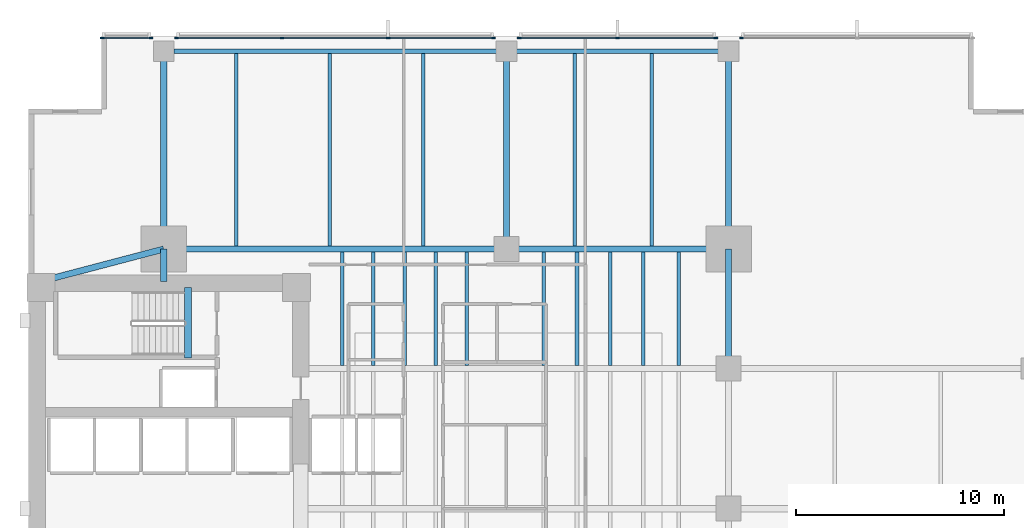
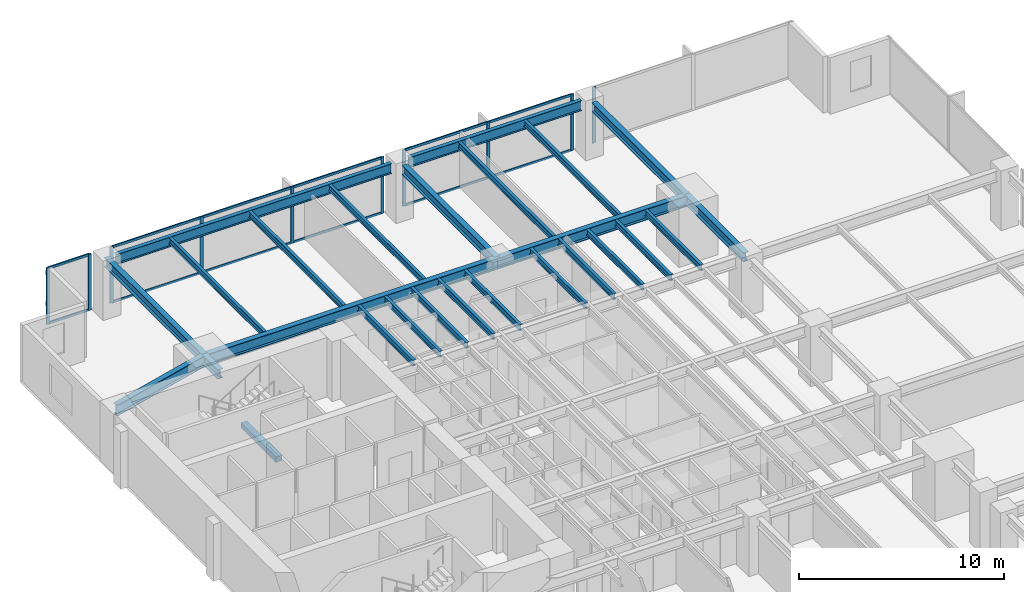
# One storey, part 5 of 15: 26 beams, 22 members, 4 elements without a shape of their own.
"""IFC4 building model written with IfcOpenShell, lengths in metres."""

from ifc_helpers import new_model, si_unit, direction, frame, origin, origin_2d, place, context, subcontext, project, spatial, rectangle, i_section, extrude, material, layer, layer_set, material_profile, profile_set, type_object, element, aggregate, save


model = new_model("IFC4")

# Units and contexts
model_context = context("Model", 3, precision=1e-05, world=origin(), true_north=direction((0.0, 1.0)))
body_context = subcontext(model_context, "Body", "Model", "MODEL_VIEW")
ifc_project = project(units=[si_unit("LENGTHUNIT", "METRE"), si_unit("AREAUNIT", "SQUARE_METRE"), si_unit("VOLUMEUNIT", "CUBIC_METRE"), si_unit("PLANEANGLEUNIT", "RADIAN"), si_unit("MASSUNIT", "GRAM", prefix="KILO")], contexts=[model_context])

# Site, building, storey
site_placement = place(None, origin())
site = spatial("IfcSite", under=ifc_project, at=site_placement, CompositionType="ELEMENT")
building_placement = place(site_placement, origin())
building = spatial("IfcBuilding", under=site, at=building_placement, Name="Kinhvarn Gate Tower", CompositionType="ELEMENT")
storey_placement = place(building_placement, frame((0.0, 0.0, 89.5)))
storey = spatial("IfcBuildingStorey", under=building, at=storey_placement, Name="L23", CompositionType="ELEMENT", Elevation=89.5)

# Beam
ifc_material_1 = material(Name="Concrete C50/60", Category="concrete")
ifc_material_profile_1 = material_profile(ifc_material_1, rectangle(XDim=0.340087890625, YDim=0.320068359375, at=origin_2d()), Name="RC 340x320")
ifc_profile_set_1 = profile_set([ifc_material_profile_1], Name="Concrete C50/60")
beam_type_1 = type_object("IfcBeamType", Name="BM-LND-500", PredefinedType="BEAM", material=ifc_profile_set_1)
beam_1_placement = place(storey_placement, frame((12.1650390625, 32.5, -0.159912109375), z_axis=(0.0, 1.0, 0.0), x_axis=(-1.0, 0.0, 0.0)))
element("IfcBeam", 1, at=beam_1_placement, inside=storey, type_object=beam_type_1, Name="Stair ST2 Landing Nosing Beam (L23)", PredefinedType="BEAM", context=body_context, shape_type="SweptSolid", body=[
    extrude(rectangle(XDim=0.340087890625, YDim=0.320068359375, at=origin_2d()), origin(), (0.0, 0.0, 1.0), 3.39990234375),
])

# Curtain wall, member
ifc_material_2 = material(Name="Anodised aluminium AW-6063", Category="aluminium")
ifc_layer = layer(ifc_material_2, 0.179931640625)
ifc_layer_set = layer_set([ifc_layer], Name="Anodised aluminium AW-6063")
curtain_wall_type = type_object("IfcCurtainWallType", Name="CW-SYS-2", PredefinedType="NOTDEFINED", material=ifc_layer_set)
curtain_wall_1_placement = place(storey_placement, origin())
curtain_wall_1 = element("IfcCurtainWall", 2, at=curtain_wall_1_placement, inside=storey, type_object=curtain_wall_type, Name="Curtain Wall CW2 (L23)", PredefinedType="NOTDEFINED")
ifc_material_profile_2 = material_profile(ifc_material_2, rectangle(XDim=0.070068359375, YDim=0.179931640625, at=origin_2d()), Name="ALU 70x180")
ifc_profile_set_2 = profile_set([ifc_material_profile_2], Name="Anodised aluminium AW-6063")
member_type_1 = type_object("IfcMemberType", Name="CW-MUL-180", PredefinedType="MULLION", material=ifc_profile_set_2)
member_1_placement = place(storey_placement, frame((38.81494140625, 47.909912109375, 0.0), z_axis=(0.0, 0.0, 1.0), x_axis=(0.0, -1.0, 0.0)))
member_1 = element("IfcMember", 3, at=member_1_placement, type_object=member_type_1, Name="CW2 mullion 3", PredefinedType="MULLION", context=body_context, shape_type="SweptSolid", body=[
    extrude(rectangle(XDim=0.070068359375, YDim=0.179931640625, at=origin_2d()), origin(), (0.0, 0.0, 1.0), 3.35009765625),
])
aggregate(curtain_wall_1, [member_1])

# Curtain wall, members
curtain_wall_2_placement = place(storey_placement, origin())
curtain_wall_2 = element("IfcCurtainWall", 4, at=curtain_wall_2_placement, inside=storey, type_object=curtain_wall_type, Name="Curtain Wall CW2 (L23)", PredefinedType="NOTDEFINED")
member_2_placement = place(storey_placement, frame((37.5849609375, 47.909912109375, 0.0), z_axis=(0.0, 0.0, 1.0), x_axis=(0.0, -1.0, 0.0)))
member_2 = element("IfcMember", 5, at=member_2_placement, type_object=member_type_1, Name="CW2 mullion 1", PredefinedType="MULLION", context=body_context, shape_type="SweptSolid", body=[
    extrude(rectangle(XDim=0.070068359375, YDim=0.179931640625, at=origin_2d()), origin(), (0.0, 0.0, 1.0), 3.35009765625),
])
member_3_placement = place(storey_placement, frame((32.85009765625, 47.909912109375, 0.0), z_axis=(0.0, 0.0, 1.0), x_axis=(0.0, -1.0, 0.0)))
member_3 = element("IfcMember", 6, at=member_3_placement, type_object=member_type_1, Name="CW2 mullion 2", PredefinedType="MULLION", context=body_context, shape_type="SweptSolid", body=[
    extrude(rectangle(XDim=0.070068359375, YDim=0.179931640625, at=origin_2d()), origin(), (0.0, 0.0, 1.0), 3.35009765625),
])
member_4_placement = place(storey_placement, frame((28.114990234375, 47.909912109375, 0.0), z_axis=(0.0, 0.0, 1.0), x_axis=(0.0, -1.0, 0.0)))
member_4 = element("IfcMember", 7, at=member_4_placement, type_object=member_type_1, Name="CW2 mullion 3", PredefinedType="MULLION", context=body_context, shape_type="SweptSolid", body=[
    extrude(rectangle(XDim=0.070068359375, YDim=0.179931640625, at=origin_2d()), origin(), (0.0, 0.0, 1.0), 3.35009765625),
])

curtain_wall_3_placement = place(storey_placement, origin())
curtain_wall_3 = element("IfcCurtainWall", 8, at=curtain_wall_3_placement, inside=storey, type_object=curtain_wall_type, Name="Curtain Wall CW2 (L23)", PredefinedType="NOTDEFINED")
member_5_placement = place(storey_placement, frame((26.885009765625, 47.909912109375, 0.0), z_axis=(0.0, 0.0, 1.0), x_axis=(0.0, -1.0, 0.0)))
member_5 = element("IfcMember", 9, at=member_5_placement, type_object=member_type_1, Name="CW2 mullion 1", PredefinedType="MULLION", context=body_context, shape_type="SweptSolid", body=[
    extrude(rectangle(XDim=0.070068359375, YDim=0.179931640625, at=origin_2d()), origin(), (0.0, 0.0, 1.0), 3.35009765625),
])
member_6_placement = place(storey_placement, frame((21.806640625, 47.909912109375, 0.0), z_axis=(0.0, 0.0, 1.0), x_axis=(0.0, -1.0, 0.0)))
member_6 = element("IfcMember", 10, at=member_6_placement, type_object=member_type_1, Name="CW2 mullion 2", PredefinedType="MULLION", context=body_context, shape_type="SweptSolid", body=[
    extrude(rectangle(XDim=0.070068359375, YDim=0.179931640625, at=origin_2d()), origin(), (0.0, 0.0, 1.0), 3.35009765625),
])
member_7_placement = place(storey_placement, frame((16.693359375, 47.909912109375, 0.0), z_axis=(0.0, 0.0, 1.0), x_axis=(0.0, -1.0, 0.0)))
member_7 = element("IfcMember", 11, at=member_7_placement, type_object=member_type_1, Name="CW2 mullion 3", PredefinedType="MULLION", context=body_context, shape_type="SweptSolid", body=[
    extrude(rectangle(XDim=0.070068359375, YDim=0.179931640625, at=origin_2d()), origin(), (0.0, 0.0, 1.0), 3.35009765625),
])
member_8_placement = place(storey_placement, frame((11.614990234375, 47.909912109375, 0.0), z_axis=(0.0, 0.0, 1.0), x_axis=(0.0, -1.0, 0.0)))
member_8 = element("IfcMember", 12, at=member_8_placement, type_object=member_type_1, Name="CW2 mullion 4", PredefinedType="MULLION", context=body_context, shape_type="SweptSolid", body=[
    extrude(rectangle(XDim=0.070068359375, YDim=0.179931640625, at=origin_2d()), origin(), (0.0, 0.0, 1.0), 3.35009765625),
])

curtain_wall_4_placement = place(storey_placement, origin())
curtain_wall_4 = element("IfcCurtainWall", 13, at=curtain_wall_4_placement, inside=storey, type_object=curtain_wall_type, Name="Curtain Wall CW2 (L23)", PredefinedType="NOTDEFINED")
member_9_placement = place(storey_placement, frame((10.385009765625, 47.909912109375, 0.0), z_axis=(0.0, 0.0, 1.0), x_axis=(0.0, -1.0, 0.0)))
member_9 = element("IfcMember", 14, at=member_9_placement, type_object=member_type_1, Name="CW2 mullion 1", PredefinedType="MULLION", context=body_context, shape_type="SweptSolid", body=[
    extrude(rectangle(XDim=0.070068359375, YDim=0.179931640625, at=origin_2d()), origin(), (0.0, 0.0, 1.0), 3.35009765625),
])
member_10_placement = place(storey_placement, frame((8.034912109375, 47.909912109375, 0.0), z_axis=(0.0, 0.0, 1.0), x_axis=(0.0, -1.0, 0.0)))
member_10 = element("IfcMember", 15, at=member_10_placement, type_object=member_type_1, Name="CW2 mullion 2", PredefinedType="MULLION", context=body_context, shape_type="SweptSolid", body=[
    extrude(rectangle(XDim=0.070068359375, YDim=0.179931640625, at=origin_2d()), origin(), (0.0, 0.0, 1.0), 3.35009765625),
])

# Member
ifc_material_profile_3 = material_profile(ifc_material_2, rectangle(XDim=0.070068359375, YDim=0.139892578125, at=origin_2d()), Name="ALU 70x140")
ifc_profile_set_3 = profile_set([ifc_material_profile_3], Name="Anodised aluminium AW-6063")
member_type_2 = type_object("IfcMemberType", Name="CW-TRN-140", PredefinedType="USERDEFINED", material=ifc_profile_set_3)
member_11_placement = place(storey_placement, frame((37.550048828125, 47.909912109375, 0.034912109375), z_axis=(-1.0, 0.0, 0.0), x_axis=(0.0, -1.0, 0.0)))
member_11 = element("IfcMember", 16, at=member_11_placement, type_object=member_type_2, Name="CW2 transom 1.1", ObjectType="TRANSOM", PredefinedType="USERDEFINED", context=body_context, shape_type="SweptSolid", body=[
    extrude(rectangle(XDim=0.070068359375, YDim=0.139892578125, at=origin_2d()), origin(), (0.0, 0.0, 1.0), 4.6650390625),
])

member_12_placement = place(storey_placement, frame((37.550048828125, 47.909912109375, 3.31494140625), z_axis=(-1.0, 0.0, 0.0), x_axis=(0.0, -1.0, 0.0)))
member_12 = element("IfcMember", 17, at=member_12_placement, type_object=member_type_2, Name="CW2 transom 1.2", ObjectType="TRANSOM", PredefinedType="USERDEFINED", context=body_context, shape_type="SweptSolid", body=[
    extrude(rectangle(XDim=0.070068359375, YDim=0.139892578125, at=origin_2d()), origin(), (0.0, 0.0, 1.0), 4.6650390625),
])

member_13_placement = place(storey_placement, frame((32.81494140625, 47.909912109375, 0.034912109375), z_axis=(-1.0, 0.0, 0.0), x_axis=(0.0, -1.0, 0.0)))
member_13 = element("IfcMember", 18, at=member_13_placement, type_object=member_type_2, Name="CW2 transom 2.1", ObjectType="TRANSOM", PredefinedType="USERDEFINED", context=body_context, shape_type="SweptSolid", body=[
    extrude(rectangle(XDim=0.070068359375, YDim=0.139892578125, at=origin_2d()), origin(), (0.0, 0.0, 1.0), 4.6650390625),
])

member_14_placement = place(storey_placement, frame((32.81494140625, 47.909912109375, 3.31494140625), z_axis=(-1.0, 0.0, 0.0), x_axis=(0.0, -1.0, 0.0)))
member_14 = element("IfcMember", 19, at=member_14_placement, type_object=member_type_2, Name="CW2 transom 2.2", ObjectType="TRANSOM", PredefinedType="USERDEFINED", context=body_context, shape_type="SweptSolid", body=[
    extrude(rectangle(XDim=0.070068359375, YDim=0.139892578125, at=origin_2d()), origin(), (0.0, 0.0, 1.0), 4.6650390625),
])

aggregate(curtain_wall_2, [member_2, member_3, member_4, member_11, member_12, member_13, member_14])

member_15_placement = place(storey_placement, frame((26.85009765625, 47.909912109375, 0.034912109375), z_axis=(-1.0, 0.0, 0.0), x_axis=(0.0, -1.0, 0.0)))
member_15 = element("IfcMember", 20, at=member_15_placement, type_object=member_type_2, Name="CW2 transom 1.1", ObjectType="TRANSOM", PredefinedType="USERDEFINED", context=body_context, shape_type="SweptSolid", body=[
    extrude(rectangle(XDim=0.070068359375, YDim=0.139892578125, at=origin_2d()), origin(), (0.0, 0.0, 1.0), 5.008544921875),
])

member_16_placement = place(storey_placement, frame((26.85009765625, 47.909912109375, 3.31494140625), z_axis=(-1.0, 0.0, 0.0), x_axis=(0.0, -1.0, 0.0)))
member_16 = element("IfcMember", 21, at=member_16_placement, type_object=member_type_2, Name="CW2 transom 1.2", ObjectType="TRANSOM", PredefinedType="USERDEFINED", context=body_context, shape_type="SweptSolid", body=[
    extrude(rectangle(XDim=0.070068359375, YDim=0.139892578125, at=origin_2d()), origin(), (0.0, 0.0, 1.0), 5.008544921875),
])

member_17_placement = place(storey_placement, frame((21.771728515625, 47.909912109375, 0.034912109375), z_axis=(-1.0, 0.0, 0.0), x_axis=(0.0, -1.0, 0.0)))
member_17 = element("IfcMember", 22, at=member_17_placement, type_object=member_type_2, Name="CW2 transom 2.1", ObjectType="TRANSOM", PredefinedType="USERDEFINED", context=body_context, shape_type="SweptSolid", body=[
    extrude(rectangle(XDim=0.070068359375, YDim=0.139892578125, at=origin_2d()), origin(), (0.0, 0.0, 1.0), 5.04345703125),
])

member_18_placement = place(storey_placement, frame((21.771728515625, 47.909912109375, 3.31494140625), z_axis=(-1.0, 0.0, 0.0), x_axis=(0.0, -1.0, 0.0)))
member_18 = element("IfcMember", 23, at=member_18_placement, type_object=member_type_2, Name="CW2 transom 2.2", ObjectType="TRANSOM", PredefinedType="USERDEFINED", context=body_context, shape_type="SweptSolid", body=[
    extrude(rectangle(XDim=0.070068359375, YDim=0.139892578125, at=origin_2d()), origin(), (0.0, 0.0, 1.0), 5.04345703125),
])

member_19_placement = place(storey_placement, frame((16.658447265625, 47.909912109375, 0.034912109375), z_axis=(-1.0, 0.0, 0.0), x_axis=(0.0, -1.0, 0.0)))
member_19 = element("IfcMember", 24, at=member_19_placement, type_object=member_type_2, Name="CW2 transom 3.1", ObjectType="TRANSOM", PredefinedType="USERDEFINED", context=body_context, shape_type="SweptSolid", body=[
    extrude(rectangle(XDim=0.070068359375, YDim=0.139892578125, at=origin_2d()), origin(), (0.0, 0.0, 1.0), 5.008544921875),
])

member_20_placement = place(storey_placement, frame((16.658447265625, 47.909912109375, 3.31494140625), z_axis=(-1.0, 0.0, 0.0), x_axis=(0.0, -1.0, 0.0)))
member_20 = element("IfcMember", 25, at=member_20_placement, type_object=member_type_2, Name="CW2 transom 3.2", ObjectType="TRANSOM", PredefinedType="USERDEFINED", context=body_context, shape_type="SweptSolid", body=[
    extrude(rectangle(XDim=0.070068359375, YDim=0.139892578125, at=origin_2d()), origin(), (0.0, 0.0, 1.0), 5.008544921875),
])

aggregate(curtain_wall_3, [member_5, member_6, member_7, member_8, member_15, member_16, member_17, member_18, member_19, member_20])

member_21_placement = place(storey_placement, frame((10.35009765625, 47.909912109375, 0.034912109375), z_axis=(-1.0, 0.0, 0.0), x_axis=(0.0, -1.0, 0.0)))
member_21 = element("IfcMember", 26, at=member_21_placement, type_object=member_type_2, Name="CW2 transom 1.1", ObjectType="TRANSOM", PredefinedType="USERDEFINED", context=body_context, shape_type="SweptSolid", body=[
    extrude(rectangle(XDim=0.070068359375, YDim=0.139892578125, at=origin_2d()), origin(), (0.0, 0.0, 1.0), 2.280029296875),
])

member_22_placement = place(storey_placement, frame((10.35009765625, 47.909912109375, 3.31494140625), z_axis=(-1.0, 0.0, 0.0), x_axis=(0.0, -1.0, 0.0)))
member_22 = element("IfcMember", 27, at=member_22_placement, type_object=member_type_2, Name="CW2 transom 1.2", ObjectType="TRANSOM", PredefinedType="USERDEFINED", context=body_context, shape_type="SweptSolid", body=[
    extrude(rectangle(XDim=0.070068359375, YDim=0.139892578125, at=origin_2d()), origin(), (0.0, 0.0, 1.0), 2.280029296875),
])

aggregate(curtain_wall_4, [member_9, member_10, member_21, member_22])

# Beams
ifc_material_3 = material(Name="Steel S355", Category="steel")
ifc_material_profile_4 = material_profile(ifc_material_3, i_section(OverallWidth=0.300048828125, OverallDepth=0.550048828125, WebThickness=0.014892578125, FlangeThickness=0.029052734375, at=origin_2d()), Name="HEB 550")
ifc_profile_set_4 = profile_set([ifc_material_profile_4], Name="Steel S355")
beam_type_2 = type_object("IfcBeamType", Name="STL-HEB550", PredefinedType="BEAM", material=ifc_profile_set_4)
beam_2_placement = place(storey_placement, frame((11.0, 36.199951171875, 3.074951171875), z_axis=(0.0, 1.0, 0.0), x_axis=(-1.0, 0.0, 0.0)))
element("IfcBeam", 28, at=beam_2_placement, inside=storey, type_object=beam_type_2, Name="Floor Beam PG-15 (L23 MCW-CN)", PredefinedType="BEAM", context=body_context, shape_type="SweptSolid", body=[
    extrude(i_section(OverallWidth=0.300048828125, OverallDepth=0.550048828125, WebThickness=0.014892578125, FlangeThickness=0.029052734375, at=origin_2d()), origin(), (0.0, 0.0, 1.0), 1.550048828125),
])
beam_3_placement = place(storey_placement, frame((11.0, 37.75, 3.074951171875), z_axis=(0.0, 1.0, 0.0), x_axis=(-1.0, 0.0, 0.0)))
element("IfcBeam", 29, at=beam_3_placement, inside=storey, type_object=beam_type_2, Name="Floor Beam PG-15 (L23 MCW-N)", PredefinedType="BEAM", context=body_context, shape_type="SweptSolid", body=[
    extrude(i_section(OverallWidth=0.300048828125, OverallDepth=0.550048828125, WebThickness=0.014892578125, FlangeThickness=0.029052734375, at=origin_2d()), origin(), (0.0, 0.0, 1.0), 9.530029296875),
])
for number, where, z_axis, x_axis, name in (
    (30, (27.5, 37.75, 3.074951171875), (0.0, 1.0, 0.0), (-1.0, 0.0, 0.0), "Floor Beam PG-15 (L23 SP27-N-TIE)"),
    (31, (38.199951171875, 37.75, 3.074951171875), (0.0, 1.0, 0.0), (-1.0, 0.0, 0.0), "Floor Beam PG-15 (L23 MCE-N)"),
):
    element("IfcBeam", number, at=place(storey_placement, frame(where, z_axis=z_axis, x_axis=x_axis)), inside=storey, type_object=beam_type_2, Name=name, PredefinedType="BEAM", context=body_context, shape_type="SweptSolid", body=[
        extrude(i_section(OverallWidth=0.300048828125, OverallDepth=0.550048828125, WebThickness=0.014892578125, FlangeThickness=0.029052734375, at=origin_2d()), origin(), (0.0, 0.0, 1.0), 9.044921875),
    ])
beam_4_placement = place(storey_placement, frame((38.199951171875, 32.0, 3.074951171875), z_axis=(0.0, 1.0, 0.0), x_axis=(-1.0, 0.0, 0.0)))
element("IfcBeam", 32, at=beam_4_placement, inside=storey, type_object=beam_type_2, Name="Floor Beam PG-15 (L23 MG-E-32)", PredefinedType="BEAM", context=body_context, shape_type="SweptSolid", body=[
    extrude(i_section(OverallWidth=0.300048828125, OverallDepth=0.550048828125, WebThickness=0.014892578125, FlangeThickness=0.029052734375, at=origin_2d()), origin(), (0.0, 0.0, 1.0), 5.75),
])
ifc_material_profile_5 = material_profile(ifc_material_3, i_section(OverallWidth=0.300048828125, OverallDepth=0.64990234375, WebThickness=0.01611328125, FlangeThickness=0.031005859375, at=origin_2d()), Name="HEB 650")
ifc_profile_set_5 = profile_set([ifc_material_profile_5], Name="Steel S355")
beam_type_3 = type_object("IfcBeamType", Name="STL-HEB650", PredefinedType="BEAM", material=ifc_profile_set_5)
beam_5_placement = place(storey_placement, frame((11.0, 37.75, 3.02490234375), z_axis=(1.0, 0.0, 0.0), x_axis=(0.0, 1.0, 0.0)))
element("IfcBeam", 33, at=beam_5_placement, inside=storey, type_object=beam_type_3, Name="Floor Beam PG-17 (L23 MG-N1)", PredefinedType="BEAM", context=body_context, shape_type="SweptSolid", body=[
    extrude(i_section(OverallWidth=0.300048828125, OverallDepth=0.64990234375, WebThickness=0.01611328125, FlangeThickness=0.031005859375, at=origin_2d()), origin(), (0.0, 0.0, 1.0), 16.5),
])
beam_6_placement = place(storey_placement, frame((27.5, 37.75, 3.02490234375), z_axis=(1.0, 0.0, 0.0), x_axis=(0.0, 1.0, 0.0)))
element("IfcBeam", 34, at=beam_6_placement, inside=storey, type_object=beam_type_3, Name="Floor Beam PG-17 (L23 MG-N2)", PredefinedType="BEAM", context=body_context, shape_type="SweptSolid", body=[
    extrude(i_section(OverallWidth=0.300048828125, OverallDepth=0.64990234375, WebThickness=0.01611328125, FlangeThickness=0.031005859375, at=origin_2d()), origin(), (0.0, 0.0, 1.0), 10.699951171875),
])
beam_7_placement = place(storey_placement, frame((5.10009765625, 36.199951171875, 3.02490234375), z_axis=(0.967177623957, 0.254101246979, 0.0), x_axis=(-0.254101246979, 0.967177623957, 0.0)))
element("IfcBeam", 35, at=beam_7_placement, inside=storey, type_object=beam_type_3, Name="Floor Beam PG-17 (L23 MG-NW-DIAG)", PredefinedType="BEAM", context=body_context, shape_type="SweptSolid", body=[
    extrude(i_section(OverallWidth=0.300048828125, OverallDepth=0.64990234375, WebThickness=0.01611328125, FlangeThickness=0.031005859375, at=origin_2d()), origin(), (0.0, 0.0, 1.0), 6.10009765625),
])
ifc_material_profile_6 = material_profile(ifc_material_3, i_section(OverallWidth=0.169921875, OverallDepth=0.360107421875, WebThickness=0.008056640625, FlangeThickness=0.0126953125, at=origin_2d()), Name="IPE 360")
ifc_profile_set_6 = profile_set([ifc_material_profile_6], Name="Steel S355")
beam_type_4 = type_object("IfcBeamType", Name="STL-IPE360", PredefinedType="JOIST", material=ifc_profile_set_6)
for number, where, z_axis, x_axis, name in (
    (36, (19.60009765625, 32.14990234375, 3.169921875), (0.0, 1.0, 0.0), (-1.0, 0.0, 0.0), "Floor Joist SB-04 (L23 JC-X196-3)"),
    (37, (21.10009765625, 32.14990234375, 3.169921875), (0.0, 1.0, 0.0), (-1.0, 0.0, 0.0), "Floor Joist SB-04 (L23 JC-X211-3)"),
    (38, (22.60009765625, 32.14990234375, 3.169921875), (0.0, 1.0, 0.0), (-1.0, 0.0, 0.0), "Floor Joist SB-04 (L23 JC-X226-3)"),
    (39, (24.10009765625, 32.14990234375, 3.169921875), (0.0, 1.0, 0.0), (-1.0, 0.0, 0.0), "Floor Joist SB-04 (L23 JC-X241-3)"),
    (40, (25.60009765625, 32.14990234375, 3.169921875), (0.0, 1.0, 0.0), (-1.0, 0.0, 0.0), "Floor Joist SB-04 (L23 JC-X256-3)"),
    (41, (29.300048828125, 32.14990234375, 3.169921875), (0.0, 1.0, 0.0), (-1.0, 0.0, 0.0), "Floor Joist SB-04 (L23 JC-X293-3)"),
    (42, (30.89990234375, 32.14990234375, 3.169921875), (0.0, 1.0, 0.0), (-1.0, 0.0, 0.0), "Floor Joist SB-04 (L23 JC-X309-3)"),
    (43, (32.5, 32.14990234375, 3.169921875), (0.0, 1.0, 0.0), (-1.0, 0.0, 0.0), "Floor Joist SB-04 (L23 JC-X325-3)"),
    (44, (34.10009765625, 32.14990234375, 3.169921875), (0.0, 1.0, 0.0), (-1.0, 0.0, 0.0), "Floor Joist SB-04 (L23 JC-X341-3)"),
    (45, (35.800048828125, 32.14990234375, 3.169921875), (0.0, 1.0, 0.0), (-1.0, 0.0, 0.0), "Floor Joist SB-04 (L23 JC-X358-3)"),
):
    element("IfcBeam", number, at=place(storey_placement, frame(where, z_axis=z_axis, x_axis=x_axis)), inside=storey, type_object=beam_type_4, Name=name, PredefinedType="JOIST", context=body_context, shape_type="SweptSolid", body=[
        extrude(i_section(OverallWidth=0.169921875, OverallDepth=0.360107421875, WebThickness=0.008056640625, FlangeThickness=0.0126953125, at=origin_2d()), origin(), (0.0, 0.0, 1.0), 5.4501953125),
    ])
for number, where, z_axis, x_axis, name in (
    (46, (14.5, 37.89990234375, 3.169921875), (0.0, 1.0, 0.0), (-1.0, 0.0, 0.0), "Floor Joist SB-04 (L23 JN-X145)"),
    (47, (19.0, 37.89990234375, 3.169921875), (0.0, 1.0, 0.0), (-1.0, 0.0, 0.0), "Floor Joist SB-04 (L23 JN-X190)"),
    (48, (23.5, 37.89990234375, 3.169921875), (0.0, 1.0, 0.0), (-1.0, 0.0, 0.0), "Floor Joist SB-04 (L23 JN-X235)"),
    (49, (30.800048828125, 37.89990234375, 3.169921875), (0.0, 1.0, 0.0), (-1.0, 0.0, 0.0), "Floor Joist SB-04 (L23 JN-X308)"),
    (50, (34.5, 37.89990234375, 3.169921875), (0.0, 1.0, 0.0), (-1.0, 0.0, 0.0), "Floor Joist SB-04 (L23 JN-X345)"),
):
    element("IfcBeam", number, at=place(storey_placement, frame(where, z_axis=z_axis, x_axis=x_axis)), inside=storey, type_object=beam_type_4, Name=name, PredefinedType="JOIST", context=body_context, shape_type="SweptSolid", body=[
        extrude(i_section(OverallWidth=0.169921875, OverallDepth=0.360107421875, WebThickness=0.008056640625, FlangeThickness=0.0126953125, at=origin_2d()), origin(), (0.0, 0.0, 1.0), 9.27001953125),
    ])
ifc_material_profile_7 = material_profile(ifc_material_3, i_section(OverallWidth=0.219970703125, OverallDepth=0.60009765625, WebThickness=0.011962890625, FlangeThickness=0.01904296875, at=origin_2d()), Name="IPE 600")
ifc_profile_set_7 = profile_set([ifc_material_profile_7], Name="Steel S355")
beam_type_5 = type_object("IfcBeamType", Name="STL-IPE600", PredefinedType="SPANDREL", material=ifc_profile_set_7)
beam_8_placement = place(storey_placement, frame((11.485107421875, 47.280029296875, 3.050048828125), z_axis=(1.0, 0.0, 0.0), x_axis=(0.0, 1.0, 0.0)))
element("IfcBeam", 51, at=beam_8_placement, inside=storey, type_object=beam_type_5, Name="Floor Spandrel SB-09 (L23 SP-N1)", PredefinedType="SPANDREL", context=body_context, shape_type="SweptSolid", body=[
    extrude(i_section(OverallWidth=0.219970703125, OverallDepth=0.60009765625, WebThickness=0.011962890625, FlangeThickness=0.01904296875, at=origin_2d()), origin(), (0.0, 0.0, 1.0), 15.52978515625),
])
beam_9_placement = place(storey_placement, frame((27.985107421875, 47.280029296875, 3.050048828125), z_axis=(1.0, 0.0, 0.0), x_axis=(0.0, 1.0, 0.0)))
element("IfcBeam", 52, at=beam_9_placement, inside=storey, type_object=beam_type_5, Name="Floor Spandrel SB-09 (L23 SP-N2)", PredefinedType="SPANDREL", context=body_context, shape_type="SweptSolid", body=[
    extrude(i_section(OverallWidth=0.219970703125, OverallDepth=0.60009765625, WebThickness=0.011962890625, FlangeThickness=0.01904296875, at=origin_2d()), origin(), (0.0, 0.0, 1.0), 9.72998046875),
])

save(model, "model.ifc")
